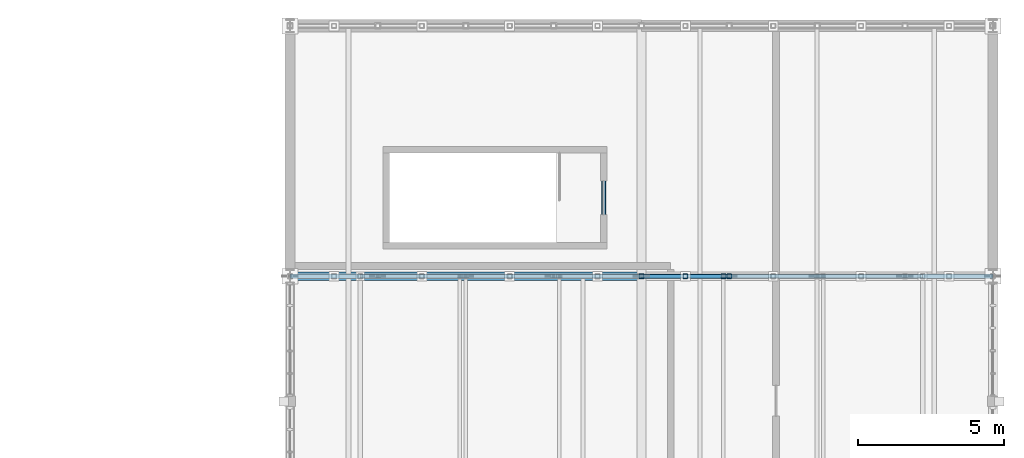
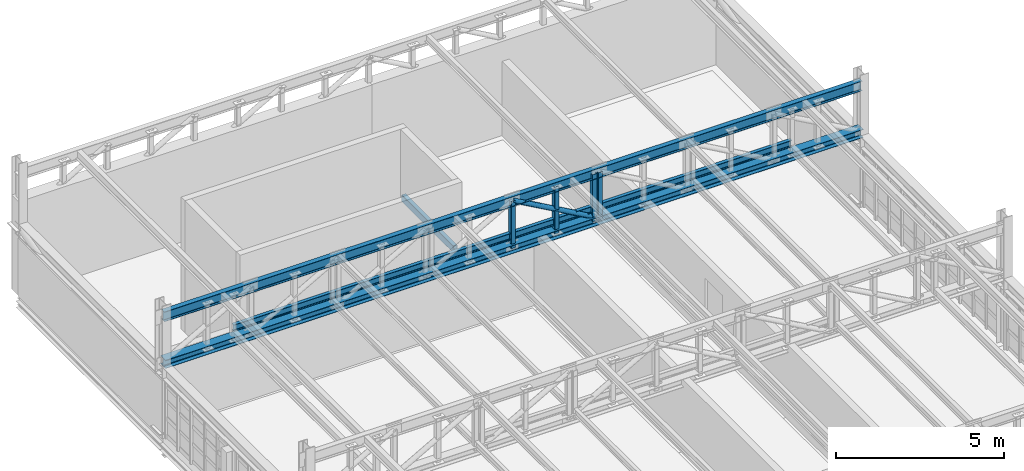
# One storey, part 55 of 128: 8 members, 1 beam.
"""IFC4 building model written with IfcOpenShell, lengths in metres."""

from ifc_helpers import new_model, si_unit, direction, frame, origin, origin_2d, place, context, subcontext, project, spatial, hollow_rectangle, hollow_circle, i_section, extrude, material, material_profile, profile_set, type_object, element, save


model = new_model("IFC4")

# Units and contexts
model_context = context("Model", 3, precision=1e-05, world=origin(), true_north=direction((0.0, 1.0)))
body_context = subcontext(model_context, "Body", "Model", "MODEL_VIEW")
ifc_project = project(units=[si_unit("LENGTHUNIT", "METRE"), si_unit("AREAUNIT", "SQUARE_METRE"), si_unit("VOLUMEUNIT", "CUBIC_METRE"), si_unit("PLANEANGLEUNIT", "RADIAN"), si_unit("MASSUNIT", "GRAM", prefix="KILO")], contexts=[model_context])

# Site, building, storey
site_placement = place(None, origin())
site = spatial("IfcSite", under=ifc_project, at=site_placement, CompositionType="ELEMENT")
building_placement = place(site_placement, origin())
building = spatial("IfcBuilding", under=site, at=building_placement, Name="Serraforn Aerial Cableway Station", CompositionType="ELEMENT")
storey_placement = place(building_placement, frame((0.0, 0.0, 9.0)))
storey = spatial("IfcBuildingStorey", under=building, at=storey_placement, Name="L02", CompositionType="ELEMENT", Elevation=9.0)

# Beam
ifc_material = material(Name="Steel S355J2", Category="steel")
ifc_material_profile_1 = material_profile(ifc_material, hollow_rectangle(XDim=0.14990234375, YDim=0.25, WallThickness=0.010009765625, InnerFilletRadius=0.010009765625, OuterFilletRadius=0.02001953125, at=origin_2d()), Name="RHS 250x150x10.0")
ifc_profile_set_1 = profile_set([ifc_material_profile_1], Name="Steel S355J2")
beam_type = type_object("IfcBeamType", Name="BM-ST-RHS250", PredefinedType="LINTEL", material=ifc_profile_set_1)
beam_placement = place(storey_placement, frame((154.7099609375, 109.659912109375, 2.27490234375), z_axis=(0.0, -1.0, 0.0), x_axis=(1.0, 0.0, 0.0)))
element("IfcBeam", 1, at=beam_placement, inside=storey, type_object=beam_type, Name="Stair Core Door Lintel D-S38", PredefinedType="LINTEL", context=body_context, shape_type="SweptSolid", body=[
    extrude(hollow_rectangle(XDim=0.14990234375, YDim=0.25, WallThickness=0.010009765625, InnerFilletRadius=0.010009765625, OuterFilletRadius=0.02001953125, at=origin_2d()), origin(), (0.0, 0.0, 1.0), 3.059814453125),
])

# Members
ifc_material_profile_2 = material_profile(ifc_material, i_section(OverallWidth=0.300048828125, OverallDepth=0.300048828125, WebThickness=0.008544921875, FlangeThickness=0.013916015625, FilletRadius=0.027099609375, at=origin_2d()), Name="HEA 300")
ifc_profile_set_2 = profile_set([ifc_material_profile_2], Name="Steel S355J2")
member_type_1 = type_object("IfcMemberType", Name="MEM-BC-HEA300", PredefinedType="CHORD", material=ifc_profile_set_2)
member_1_placement = place(storey_placement, frame((144.0, 105.449951171875, 2.60009765625), z_axis=(1.0, 0.0, 0.0), x_axis=(0.0, 1.0, 0.0)))
element("IfcMember", 2, at=member_1_placement, inside=storey, type_object=member_type_1, Name="Garage Truss GT-11 Bottom Chord", PredefinedType="CHORD", context=body_context, shape_type="SweptSolid", body=[
    extrude(i_section(OverallWidth=0.300048828125, OverallDepth=0.300048828125, WebThickness=0.008544921875, FlangeThickness=0.013916015625, FilletRadius=0.027099609375, at=origin_2d()), origin(), (0.0, 0.0, 1.0), 24.0),
])
ifc_material_profile_3 = material_profile(ifc_material, hollow_circle(Radius=0.084228515625, WallThickness=0.008056640625, at=origin_2d()), Name="CHS 168.3x8.0")
ifc_profile_set_3 = profile_set([ifc_material_profile_3], Name="Steel S355J2")
member_type_2 = type_object("IfcMemberType", Name="MEM-DG-CHS168", PredefinedType="BRACE", material=ifc_profile_set_3)
member_2_placement = place(storey_placement, frame((156.0, 105.449951171875, 4.2900390625), z_axis=(0.871272396707, 0.0, -0.490799766439), x_axis=(0.0, 1.0, 0.0)))
element("IfcMember", 3, at=member_2_placement, inside=storey, type_object=member_type_2, Name="Garage Truss GT-11 Diagonal 5", PredefinedType="BRACE", context=body_context, shape_type="SweptSolid", body=[
    extrude(hollow_circle(Radius=0.084228515625, WallThickness=0.008056640625, at=origin_2d()), origin(), (0.0, 0.0, 1.0), 3.443359375),
])
ifc_material_profile_4 = material_profile(ifc_material, i_section(OverallWidth=0.1201171875, OverallDepth=0.239990234375, WebThickness=0.006103515625, FlangeThickness=0.009765625, FilletRadius=0.014892578125, at=origin_2d()), Name="IPE 240")
ifc_profile_set_4 = profile_set([ifc_material_profile_4], Name="Steel S355J2")
member_type_3 = type_object("IfcMemberType", Name="MEM-RL-IPE240", PredefinedType="USERDEFINED", material=ifc_profile_set_4)
member_3_placement = place(storey_placement, frame((146.39990234375, 105.449951171875, 3.02001953125), z_axis=(1.0, 0.0, 0.0), x_axis=(0.0, 1.0, 0.0)))
element("IfcMember", 4, at=member_3_placement, inside=storey, type_object=member_type_3, Name="Overhead Cabin Turnaround Loop Rail 1", ObjectType="OVERHEAD TRACK RAIL", PredefinedType="USERDEFINED", context=body_context, shape_type="SweptSolid", body=[
    extrude(i_section(OverallWidth=0.1201171875, OverallDepth=0.239990234375, WebThickness=0.006103515625, FlangeThickness=0.009765625, FilletRadius=0.014892578125, at=origin_2d()), origin(), (0.0, 0.0, 1.0), 19.2001953125),
])
ifc_material_profile_5 = material_profile(ifc_material, i_section(OverallWidth=0.169921875, OverallDepth=0.360107421875, WebThickness=0.008056640625, FlangeThickness=0.0126953125, FilletRadius=0.01806640625, at=origin_2d()), Name="IPE 360")
ifc_profile_set_5 = profile_set([ifc_material_profile_5], Name="Steel S355J2")
member_type_4 = type_object("IfcMemberType", Name="MEM-TC-IPE360", PredefinedType="CHORD", material=ifc_profile_set_5)
member_4_placement = place(storey_placement, frame((144.0, 105.449951171875, 4.2900390625), z_axis=(1.0, 0.0, 0.0), x_axis=(0.0, 1.0, 0.0)))
element("IfcMember", 5, at=member_4_placement, inside=storey, type_object=member_type_4, Name="Garage Truss GT-11 Top Chord", PredefinedType="CHORD", context=body_context, shape_type="SweptSolid", body=[
    extrude(i_section(OverallWidth=0.169921875, OverallDepth=0.360107421875, WebThickness=0.008056640625, FlangeThickness=0.0126953125, FilletRadius=0.01806640625, at=origin_2d()), origin(), (0.0, 0.0, 1.0), 24.0),
])
ifc_material_profile_6 = material_profile(ifc_material, hollow_rectangle(XDim=0.159912109375, YDim=0.159912109375, WallThickness=0.008056640625, InnerFilletRadius=0.008056640625, OuterFilletRadius=0.01611328125, at=origin_2d()), Name="SHS 160x160x8.0")
ifc_profile_set_6 = profile_set([ifc_material_profile_6], Name="Steel S355J2")
member_type_5 = type_object("IfcMemberType", Name="MEM-VP-SHS160", PredefinedType="STRUT", material=ifc_profile_set_6)
for number, where, z_axis, x_axis, name in (
    (6, (156.0, 105.449951171875, 2.590087890625), (0.0, 0.0, 1.0), (1.0, 0.0, 0.0), "Garage Truss GT-11 Post 5"),
    (7, (159.0, 105.449951171875, 2.590087890625), (0.0, 0.0, 1.0), (1.0, 0.0, 0.0), "Garage Truss GT-11 Post 6"),
    (8, (158.800048828125, 105.449951171875, 2.590087890625), (0.0, 0.0, 1.0), (1.0, 0.0, 0.0), "Overhead Rail Suspension Post 058"),
    (9, (157.5, 105.449951171875, 2.590087890625), (0.0, 0.0, 1.0), (1.0, 0.0, 0.0), "Garage Truss GT-11 Sub-Vertical 5"),
):
    element("IfcMember", number, at=place(storey_placement, frame(where, z_axis=z_axis, x_axis=x_axis)), inside=storey, type_object=member_type_5, Name=name, PredefinedType="STRUT", context=body_context, shape_type="SweptSolid", body=[
        extrude(hollow_rectangle(XDim=0.159912109375, YDim=0.159912109375, WallThickness=0.008056640625, InnerFilletRadius=0.008056640625, OuterFilletRadius=0.01611328125, at=origin_2d()), origin(), (0.0, 0.0, 1.0), 1.7099609375),
    ])

save(model, "model.ifc")
